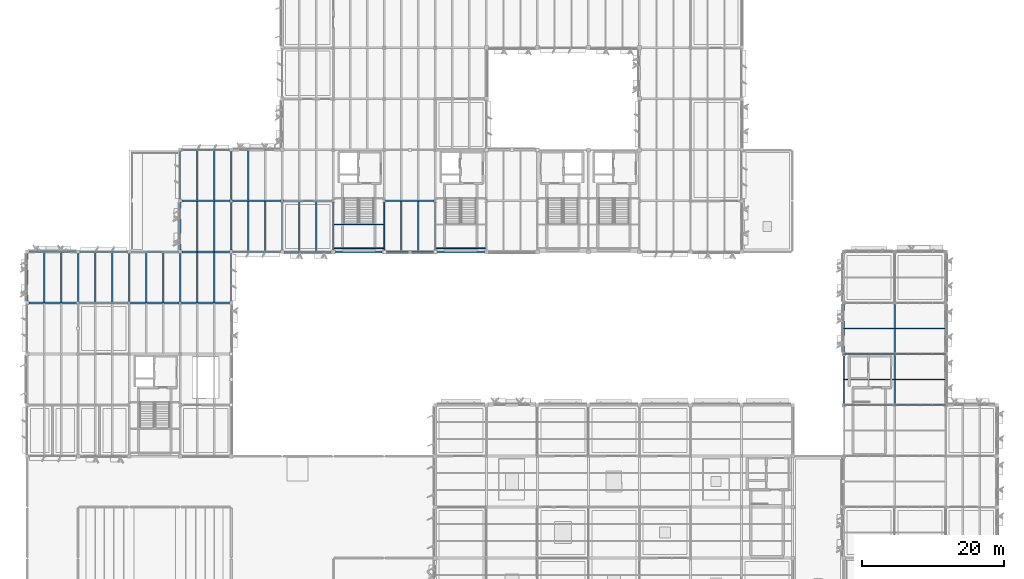
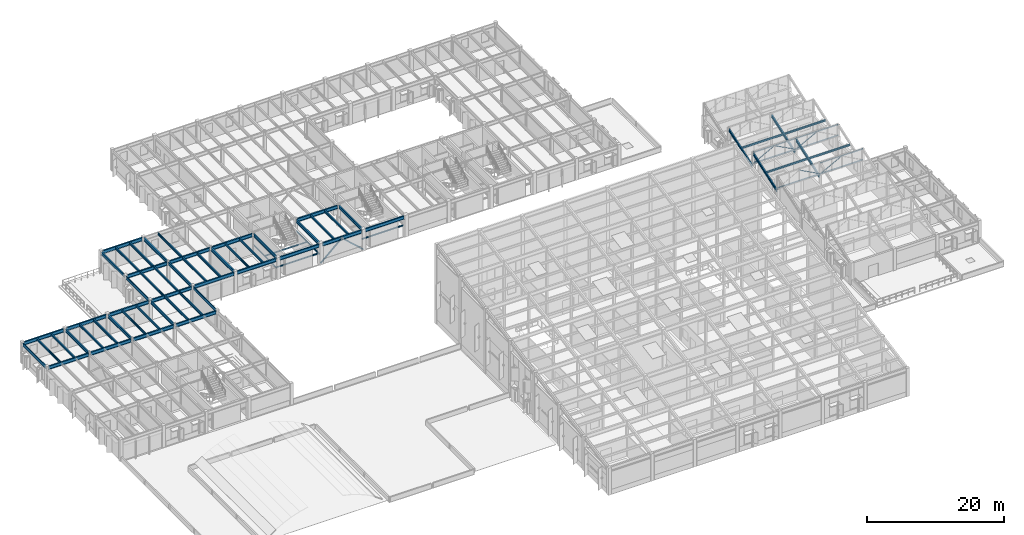
# One storey, part 18 of 82: 63 beams, 14 members.
"""IFC4 building model written with IfcOpenShell, lengths in metres."""

from ifc_helpers import new_model, si_unit, direction, frame, origin, origin_2d, place, context, subcontext, project, spatial, hollow_rectangle, hollow_circle, i_section, extrude, material, material_profile, profile_set, type_object, element, save


model = new_model("IFC4")

# Units and contexts
model_context = context("Model", 3, precision=1e-05, world=origin(), true_north=direction((0.0, 1.0)))
body_context = subcontext(model_context, "Body", "Model", "MODEL_VIEW")
ifc_project = project(units=[si_unit("LENGTHUNIT", "METRE"), si_unit("AREAUNIT", "SQUARE_METRE"), si_unit("VOLUMEUNIT", "CUBIC_METRE"), si_unit("PLANEANGLEUNIT", "RADIAN"), si_unit("MASSUNIT", "GRAM", prefix="KILO")], contexts=[model_context])

# Site, building, storey
site_placement = place(None, origin())
site = spatial("IfcSite", under=ifc_project, at=site_placement, CompositionType="ELEMENT")
building_placement = place(site_placement, origin())
building = spatial("IfcBuilding", under=site, at=building_placement, Name="Sillqori Civic Hall", CompositionType="ELEMENT")
storey_placement = place(building_placement, frame((0.0, 0.0, 14.10009765625)))
storey = spatial("IfcBuildingStorey", under=building, at=storey_placement, Name="L04", CompositionType="ELEMENT", Elevation=14.10009765625)

# Beams
ifc_material_1 = material(Name="Steel ASTM A992", Category="steel")
ifc_material_profile_1 = material_profile(ifc_material_1, i_section(OverallWidth=0.19091796875, OverallDepth=0.4599609375, WebThickness=0.010009765625, FlangeThickness=0.01611328125, FilletRadius=0.012939453125, at=origin_2d()), Name="W18X55")
ifc_profile_set_1 = profile_set([ifc_material_profile_1], Name="Steel ASTM A992")
beam_type_1 = type_object("IfcBeamType", Name="BM-W18X55", PredefinedType="BEAM", material=ifc_profile_set_1)
for number, where, z_axis, x_axis, name in (
    (1, (122.39990234375, 57.75, 3.409912109375), (0.0, 0.944499501787, 0.328512847731), (-1.0, 0.0, 0.0), "Clerestory inclined rafter 17-8"),
    (2, (129.60009765625, 57.75, 3.409912109375), (0.0, 0.944499501787, 0.328512847731), (-1.0, 0.0, 0.0), "Clerestory inclined rafter 18-8"),
):
    element("IfcBeam", number, at=place(storey_placement, frame(where, z_axis=z_axis, x_axis=x_axis)), inside=storey, type_object=beam_type_1, Name=name, PredefinedType="BEAM", context=body_context, shape_type="SweptSolid", body=[
        extrude(i_section(OverallWidth=0.19091796875, OverallDepth=0.4599609375, WebThickness=0.010009765625, FlangeThickness=0.01611328125, FilletRadius=0.012939453125, at=origin_2d()), origin(), (0.0, 0.0, 1.0), 7.305419921875),
    ])
for number, where, z_axis, x_axis, name in (
    (3, (122.39990234375, 64.949951171875, 3.409912109375), (0.0, 0.944503108263, 0.328502478655), (-1.0, 0.0, 0.0), "Clerestory inclined rafter 17-9"),
    (4, (129.60009765625, 64.949951171875, 3.409912109375), (0.0, 0.944503108263, 0.328502478655), (-1.0, 0.0, 0.0), "Clerestory inclined rafter 18-9"),
):
    element("IfcBeam", number, at=place(storey_placement, frame(where, z_axis=z_axis, x_axis=x_axis)), inside=storey, type_object=beam_type_1, Name=name, PredefinedType="BEAM", context=body_context, shape_type="SweptSolid", body=[
        extrude(i_section(OverallWidth=0.19091796875, OverallDepth=0.4599609375, WebThickness=0.010009765625, FlangeThickness=0.01611328125, FilletRadius=0.012939453125, at=origin_2d()), origin(), (0.0, 0.0, 1.0), 7.3056640625),
    ])
ifc_material_profile_2 = material_profile(ifc_material_1, i_section(OverallWidth=0.2099609375, OverallDepth=0.532958984375, WebThickness=0.01025390625, FlangeThickness=0.015625, FilletRadius=0.013916015625, at=origin_2d()), Name="W21X62")
ifc_profile_set_2 = profile_set([ifc_material_profile_2], Name="Steel ASTM A992")
beam_type_2 = type_object("IfcBeamType", Name="BM-W21X62", PredefinedType="BEAM", material=ifc_profile_set_2)
for number, where, z_axis, x_axis, name in (
    (5, (14.39990234375, 72.174560546875, 3.433349609375), (0.0, 1.0, 0.0), (-1.0, 0.0, 0.0), "L04 girder Y 2-10"),
    (6, (21.60009765625, 72.174560546875, 3.453369140625), (0.0, 1.0, 0.0), (-1.0, 0.0, 0.0), "L04 girder Y 3-10"),
    (7, (28.800048828125, 72.174560546875, 3.453369140625), (0.0, 1.0, 0.0), (-1.0, 0.0, 0.0), "L04 girder Y 4-10"),
    (8, (36.0, 79.444091796875, 3.433349609375), (0.0, 1.0, 0.0), (-1.0, 0.0, 0.0), "L04 girder Y 5-11"),
    (9, (36.0, 86.574462890625, 3.433349609375), (0.0, 1.0, 0.0), (-1.0, 0.0, 0.0), "L04 girder Y 5-12"),
    (10, (43.199951171875, 79.444091796875, 3.453369140625), (0.0, 1.0, 0.0), (-1.0, 0.0, 0.0), "L04 girder Y 6-11"),
):
    element("IfcBeam", number, at=place(storey_placement, frame(where, z_axis=z_axis, x_axis=x_axis)), inside=storey, type_object=beam_type_2, Name=name, PredefinedType="BEAM", context=body_context, shape_type="SweptSolid", body=[
        extrude(i_section(OverallWidth=0.2099609375, OverallDepth=0.532958984375, WebThickness=0.01025390625, FlangeThickness=0.015625, FilletRadius=0.013916015625, at=origin_2d()), origin(), (0.0, 0.0, 1.0), 6.781494140625),
    ])
for number, where, z_axis, x_axis, name in (
    (11, (50.39990234375, 79.493896484375, 3.453369140625), (0.0, 1.0, 0.0), (-1.0, 0.0, 0.0), "L04 girder Y 7-11"),
    (12, (57.60009765625, 79.493896484375, 3.453369140625), (0.0, 1.0, 0.0), (-1.0, 0.0, 0.0), "L04 girder Y 8-11"),
    (13, (64.800048828125, 79.493896484375, 3.453369140625), (0.0, 1.0, 0.0), (-1.0, 0.0, 0.0), "L04 girder Y 9-11"),
):
    element("IfcBeam", number, at=place(storey_placement, frame(where, z_axis=z_axis, x_axis=x_axis)), inside=storey, type_object=beam_type_2, Name=name, PredefinedType="BEAM", context=body_context, shape_type="SweptSolid", body=[
        extrude(i_section(OverallWidth=0.2099609375, OverallDepth=0.532958984375, WebThickness=0.01025390625, FlangeThickness=0.015625, FilletRadius=0.013916015625, at=origin_2d()), origin(), (0.0, 0.0, 1.0), 6.72412109375),
    ])
ifc_material_profile_3 = material_profile(ifc_material_1, i_section(OverallWidth=0.22802734375, OverallDepth=0.60205078125, WebThickness=0.010498046875, FlangeThickness=0.014892578125, FilletRadius=0.014892578125, at=origin_2d()), Name="W24X68")
ifc_profile_set_3 = profile_set([ifc_material_profile_3], Name="Steel ASTM A992")
beam_type_3 = type_object("IfcBeamType", Name="BM-W24X68", PredefinedType="BEAM", material=ifc_profile_set_3)
beam_1_placement = place(storey_placement, frame((7.444091796875, 72.0, 3.39892578125), z_axis=(1.0, 0.0, 0.0), x_axis=(0.0, 1.0, 0.0)))
element("IfcBeam", 14, at=beam_1_placement, inside=storey, type_object=beam_type_3, Name="L04 girder X 1-10", PredefinedType="BEAM", context=body_context, shape_type="SweptSolid", body=[
    extrude(i_section(OverallWidth=0.22802734375, OverallDepth=0.60205078125, WebThickness=0.010498046875, FlangeThickness=0.014892578125, FilletRadius=0.014892578125, at=origin_2d()), origin(), (0.0, 0.0, 1.0), 6.7763671875),
])
beam_2_placement = place(storey_placement, frame((7.444091796875, 79.199951171875, 3.39892578125), z_axis=(1.0, 0.0, 0.0), x_axis=(0.0, 1.0, 0.0)))
element("IfcBeam", 15, at=beam_2_placement, inside=storey, type_object=beam_type_3, Name="L04 girder X 1-11", PredefinedType="BEAM", context=body_context, shape_type="SweptSolid", body=[
    extrude(i_section(OverallWidth=0.22802734375, OverallDepth=0.60205078125, WebThickness=0.010498046875, FlangeThickness=0.014892578125, FilletRadius=0.014892578125, at=origin_2d()), origin(), (0.0, 0.0, 1.0), 6.7119140625),
])
beam_3_placement = place(storey_placement, frame((14.57958984375, 72.0, 3.4189453125), z_axis=(1.0, 0.0, 0.0), x_axis=(0.0, 1.0, 0.0)))
element("IfcBeam", 16, at=beam_3_placement, inside=storey, type_object=beam_type_3, Name="L04 girder X 2-10", PredefinedType="BEAM", context=body_context, shape_type="SweptSolid", body=[
    extrude(i_section(OverallWidth=0.22802734375, OverallDepth=0.60205078125, WebThickness=0.010498046875, FlangeThickness=0.014892578125, FilletRadius=0.014892578125, at=origin_2d()), origin(), (0.0, 0.0, 1.0), 6.8408203125),
])
beam_4_placement = place(storey_placement, frame((14.64404296875, 79.199951171875, 3.4189453125), z_axis=(1.0, 0.0, 0.0), x_axis=(0.0, 1.0, 0.0)))
element("IfcBeam", 17, at=beam_4_placement, inside=storey, type_object=beam_type_3, Name="L04 girder X 2-11", PredefinedType="BEAM", context=body_context, shape_type="SweptSolid", body=[
    extrude(i_section(OverallWidth=0.22802734375, OverallDepth=0.60205078125, WebThickness=0.010498046875, FlangeThickness=0.014892578125, FilletRadius=0.014892578125, at=origin_2d()), origin(), (0.0, 0.0, 1.0), 6.7119140625),
])
beam_5_placement = place(storey_placement, frame((21.779541015625, 72.0, 3.4189453125), z_axis=(1.0, 0.0, 0.0), x_axis=(0.0, 1.0, 0.0)))
element("IfcBeam", 18, at=beam_5_placement, inside=storey, type_object=beam_type_3, Name="L04 girder X 3-10", PredefinedType="BEAM", context=body_context, shape_type="SweptSolid", body=[
    extrude(i_section(OverallWidth=0.22802734375, OverallDepth=0.60205078125, WebThickness=0.010498046875, FlangeThickness=0.014892578125, FilletRadius=0.014892578125, at=origin_2d()), origin(), (0.0, 0.0, 1.0), 6.841064453125),
])
beam_6_placement = place(storey_placement, frame((21.843994140625, 79.199951171875, 3.4189453125), z_axis=(1.0, 0.0, 0.0), x_axis=(0.0, 1.0, 0.0)))
element("IfcBeam", 19, at=beam_6_placement, inside=storey, type_object=beam_type_3, Name="L04 girder X 3-11", PredefinedType="BEAM", context=body_context, shape_type="SweptSolid", body=[
    extrude(i_section(OverallWidth=0.22802734375, OverallDepth=0.60205078125, WebThickness=0.010498046875, FlangeThickness=0.014892578125, FilletRadius=0.014892578125, at=origin_2d()), origin(), (0.0, 0.0, 1.0), 6.7119140625),
])
beam_7_placement = place(storey_placement, frame((28.9794921875, 72.0, 3.4189453125), z_axis=(1.0, 0.0, 0.0), x_axis=(0.0, 1.0, 0.0)))
element("IfcBeam", 20, at=beam_7_placement, inside=storey, type_object=beam_type_3, Name="L04 girder X 4-10", PredefinedType="BEAM", context=body_context, shape_type="SweptSolid", body=[
    extrude(i_section(OverallWidth=0.22802734375, OverallDepth=0.60205078125, WebThickness=0.010498046875, FlangeThickness=0.014892578125, FilletRadius=0.014892578125, at=origin_2d()), origin(), (0.0, 0.0, 1.0), 6.776611328125),
])
beam_8_placement = place(storey_placement, frame((29.0439453125, 79.199951171875, 3.39892578125), z_axis=(1.0, 0.0, 0.0), x_axis=(0.0, 1.0, 0.0)))
element("IfcBeam", 21, at=beam_8_placement, inside=storey, type_object=beam_type_3, Name="L04 girder X 4-11", PredefinedType="BEAM", context=body_context, shape_type="SweptSolid", body=[
    extrude(i_section(OverallWidth=0.22802734375, OverallDepth=0.60205078125, WebThickness=0.010498046875, FlangeThickness=0.014892578125, FilletRadius=0.014892578125, at=origin_2d()), origin(), (0.0, 0.0, 1.0), 6.712158203125),
])
beam_9_placement = place(storey_placement, frame((29.0439453125, 86.39990234375, 3.39892578125), z_axis=(1.0, 0.0, 0.0), x_axis=(0.0, 1.0, 0.0)))
element("IfcBeam", 22, at=beam_9_placement, inside=storey, type_object=beam_type_3, Name="L04 girder X 4-12", PredefinedType="BEAM", context=body_context, shape_type="SweptSolid", body=[
    extrude(i_section(OverallWidth=0.22802734375, OverallDepth=0.60205078125, WebThickness=0.010498046875, FlangeThickness=0.014892578125, FilletRadius=0.014892578125, at=origin_2d()), origin(), (0.0, 0.0, 1.0), 6.776611328125),
])
for number, where, z_axis, x_axis, name in (
    (23, (29.0439453125, 93.60009765625, 3.39892578125), (1.0, 0.0, 0.0), (0.0, 1.0, 0.0), "L04 girder X 4-13"),
    (24, (36.243896484375, 79.199951171875, 3.4189453125), (1.0, 0.0, 0.0), (0.0, 1.0, 0.0), "L04 girder X 5-11"),
):
    element("IfcBeam", number, at=place(storey_placement, frame(where, z_axis=z_axis, x_axis=x_axis)), inside=storey, type_object=beam_type_3, Name=name, PredefinedType="BEAM", context=body_context, shape_type="SweptSolid", body=[
        extrude(i_section(OverallWidth=0.22802734375, OverallDepth=0.60205078125, WebThickness=0.010498046875, FlangeThickness=0.014892578125, FilletRadius=0.014892578125, at=origin_2d()), origin(), (0.0, 0.0, 1.0), 6.712158203125),
    ])
beam_10_placement = place(storey_placement, frame((36.179443359375, 86.39990234375, 3.4189453125), z_axis=(1.0, 0.0, 0.0), x_axis=(0.0, 1.0, 0.0)))
element("IfcBeam", 25, at=beam_10_placement, inside=storey, type_object=beam_type_3, Name="L04 girder X 5-12", PredefinedType="BEAM", context=body_context, shape_type="SweptSolid", body=[
    extrude(i_section(OverallWidth=0.22802734375, OverallDepth=0.60205078125, WebThickness=0.010498046875, FlangeThickness=0.014892578125, FilletRadius=0.014892578125, at=origin_2d()), origin(), (0.0, 0.0, 1.0), 6.841064453125),
])
beam_11_placement = place(storey_placement, frame((43.444091796875, 79.199951171875, 3.4189453125), z_axis=(1.0, 0.0, 0.0), x_axis=(0.0, 1.0, 0.0)))
element("IfcBeam", 26, at=beam_11_placement, inside=storey, type_object=beam_type_3, Name="L04 girder X 6-11", PredefinedType="BEAM", context=body_context, shape_type="SweptSolid", body=[
    extrude(i_section(OverallWidth=0.22802734375, OverallDepth=0.60205078125, WebThickness=0.010498046875, FlangeThickness=0.014892578125, FilletRadius=0.014892578125, at=origin_2d()), origin(), (0.0, 0.0, 1.0), 6.661865234375),
])
beam_12_placement = place(storey_placement, frame((43.37939453125, 86.39990234375, 3.4189453125), z_axis=(1.0, 0.0, 0.0), x_axis=(0.0, 1.0, 0.0)))
element("IfcBeam", 27, at=beam_12_placement, inside=storey, type_object=beam_type_3, Name="L04 girder X 6-12", PredefinedType="BEAM", context=body_context, shape_type="SweptSolid", body=[
    extrude(i_section(OverallWidth=0.22802734375, OverallDepth=0.60205078125, WebThickness=0.010498046875, FlangeThickness=0.014892578125, FilletRadius=0.014892578125, at=origin_2d()), origin(), (0.0, 0.0, 1.0), 6.82958984375),
])
beam_13_placement = place(storey_placement, frame((50.694091796875, 79.199951171875, 3.4189453125), z_axis=(1.0, 0.0, 0.0), x_axis=(0.0, 1.0, 0.0)))
element("IfcBeam", 28, at=beam_13_placement, inside=storey, type_object=beam_type_3, Name="L04 girder X 7-11", PredefinedType="BEAM", context=body_context, shape_type="SweptSolid", body=[
    extrude(i_section(OverallWidth=0.22802734375, OverallDepth=0.60205078125, WebThickness=0.010498046875, FlangeThickness=0.014892578125, FilletRadius=0.014892578125, at=origin_2d()), origin(), (0.0, 0.0, 1.0), 6.61181640625),
])
beam_14_placement = place(storey_placement, frame((57.89404296875, 79.199951171875, 3.4189453125), z_axis=(1.0, 0.0, 0.0), x_axis=(0.0, 1.0, 0.0)))
element("IfcBeam", 29, at=beam_14_placement, inside=storey, type_object=beam_type_3, Name="L04 girder X 8-11", PredefinedType="BEAM", context=body_context, shape_type="SweptSolid", body=[
    extrude(i_section(OverallWidth=0.22802734375, OverallDepth=0.60205078125, WebThickness=0.010498046875, FlangeThickness=0.014892578125, FilletRadius=0.014892578125, at=origin_2d()), origin(), (0.0, 0.0, 1.0), 6.612060546875),
])
beam_15_placement = place(storey_placement, frame((57.791015625, 86.39990234375, 3.4189453125), z_axis=(1.0, 0.0, 0.0), x_axis=(0.0, 1.0, 0.0)))
element("IfcBeam", 30, at=beam_15_placement, inside=storey, type_object=beam_type_3, Name="L04 girder X 8-12", PredefinedType="BEAM", context=body_context, shape_type="SweptSolid", body=[
    extrude(i_section(OverallWidth=0.22802734375, OverallDepth=0.60205078125, WebThickness=0.010498046875, FlangeThickness=0.014892578125, FilletRadius=0.014892578125, at=origin_2d()), origin(), (0.0, 0.0, 1.0), 6.81787109375),
])
beam_16_placement = place(storey_placement, frame((65.093994140625, 79.199951171875, 3.4189453125), z_axis=(1.0, 0.0, 0.0), x_axis=(0.0, 1.0, 0.0)))
element("IfcBeam", 31, at=beam_16_placement, inside=storey, type_object=beam_type_3, Name="L04 girder X 9-11", PredefinedType="BEAM", context=body_context, shape_type="SweptSolid", body=[
    extrude(i_section(OverallWidth=0.22802734375, OverallDepth=0.60205078125, WebThickness=0.010498046875, FlangeThickness=0.014892578125, FilletRadius=0.014892578125, at=origin_2d()), origin(), (0.0, 0.0, 1.0), 6.612060546875),
])

# Members
ifc_material_2 = material(Name="Steel ASTM A500 Grade C", Category="steel")
ifc_material_profile_4 = material_profile(ifc_material_2, hollow_rectangle(XDim=0.199951171875, YDim=0.199951171875, WallThickness=0.010009765625, InnerFilletRadius=0.010009765625, OuterFilletRadius=0.02001953125, at=origin_2d()), Name="HSS200X200X10")
ifc_profile_set_4 = profile_set([ifc_material_profile_4], Name="Steel ASTM A500 Grade C")
member_type_1 = type_object("IfcMemberType", Name="BR-HSS200", PredefinedType="BRACE", material=ifc_profile_set_4)
member_1_placement = place(storey_placement, frame((57.60009765625, 79.199951171875, 0.14990234375), z_axis=(0.742254478498, 0.0, 0.67011811582), x_axis=(0.0, 1.0, 0.0)))
element("IfcMember", 32, at=member_1_placement, inside=storey, type_object=member_type_1, Name="L04 seismic chevron brace L X11-8", PredefinedType="BRACE", context=body_context, shape_type="SweptSolid", body=[
    extrude(hollow_rectangle(XDim=0.199951171875, YDim=0.199951171875, WallThickness=0.010009765625, InnerFilletRadius=0.010009765625, OuterFilletRadius=0.02001953125, at=origin_2d()), origin(), (0.0, 0.0, 1.0), 4.849853515625),
])
member_2_placement = place(storey_placement, frame((64.800048828125, 79.199951171875, 0.14990234375), z_axis=(-0.742277082557, 0.0, 0.670093077648), x_axis=(0.0, -1.0, 0.0)))
element("IfcMember", 33, at=member_2_placement, inside=storey, type_object=member_type_1, Name="L04 seismic chevron brace R X11-8", PredefinedType="BRACE", context=body_context, shape_type="SweptSolid", body=[
    extrude(hollow_rectangle(XDim=0.199951171875, YDim=0.199951171875, WallThickness=0.010009765625, InnerFilletRadius=0.010009765625, OuterFilletRadius=0.02001953125, at=origin_2d()), origin(), (0.0, 0.0, 1.0), 4.85009765625),
])
ifc_material_profile_5 = material_profile(ifc_material_2, hollow_rectangle(XDim=0.1201171875, YDim=0.199951171875, WallThickness=0.010009765625, InnerFilletRadius=0.010009765625, OuterFilletRadius=0.02001953125, at=origin_2d()), Name="HSS200X120X10")
ifc_profile_set_5 = profile_set([ifc_material_profile_5], Name="Steel ASTM A500 Grade C")
member_type_2 = type_object("IfcMemberType", Name="CH-HSS200", PredefinedType="CHORD", material=ifc_profile_set_5)
member_3_placement = place(storey_placement, frame((122.39990234375, 57.60009765625, 4.0498046875), z_axis=(1.0, 0.0, 0.0), x_axis=(0.0, 1.0, 0.0)))
element("IfcMember", 34, at=member_3_placement, inside=storey, type_object=member_type_2, Name="Clerestory truss bottom chord 17-7", PredefinedType="CHORD", context=body_context, shape_type="SweptSolid", body=[
    extrude(hollow_rectangle(XDim=0.1201171875, YDim=0.199951171875, WallThickness=0.010009765625, InnerFilletRadius=0.010009765625, OuterFilletRadius=0.02001953125, at=origin_2d()), origin(), (0.0, 0.0, 1.0), 7.2001953125),
])
for number, where, z_axis, x_axis, name in (
    (35, (129.60009765625, 57.60009765625, 5.969970703125), (1.0, 0.0, 0.0), (0.0, 1.0, 0.0), "Clerestory truss top chord 18-7"),
    (36, (129.60009765625, 57.60009765625, 4.0498046875), (1.0, 0.0, 0.0), (0.0, 1.0, 0.0), "Clerestory truss bottom chord 18-7"),
):
    element("IfcMember", number, at=place(storey_placement, frame(where, z_axis=z_axis, x_axis=x_axis)), inside=storey, type_object=member_type_2, Name=name, PredefinedType="CHORD", context=body_context, shape_type="SweptSolid", body=[
        extrude(hollow_rectangle(XDim=0.1201171875, YDim=0.199951171875, WallThickness=0.010009765625, InnerFilletRadius=0.010009765625, OuterFilletRadius=0.02001953125, at=origin_2d()), origin(), (0.0, 0.0, 1.0), 7.199951171875),
    ])
for number, where, z_axis, x_axis, name in (
    (37, (122.39990234375, 64.800048828125, 5.969970703125), (1.0, 0.0, 0.0), (0.0, 1.0, 0.0), "Clerestory truss top chord 17-8"),
    (38, (122.39990234375, 64.800048828125, 4.0498046875), (1.0, 0.0, 0.0), (0.0, 1.0, 0.0), "Clerestory truss bottom chord 17-8"),
):
    element("IfcMember", number, at=place(storey_placement, frame(where, z_axis=z_axis, x_axis=x_axis)), inside=storey, type_object=member_type_2, Name=name, PredefinedType="CHORD", context=body_context, shape_type="SweptSolid", body=[
        extrude(hollow_rectangle(XDim=0.1201171875, YDim=0.199951171875, WallThickness=0.010009765625, InnerFilletRadius=0.010009765625, OuterFilletRadius=0.02001953125, at=origin_2d()), origin(), (0.0, 0.0, 1.0), 7.2001953125),
    ])
for number, where, z_axis, x_axis, name in (
    (39, (129.60009765625, 64.800048828125, 5.969970703125), (1.0, 0.0, 0.0), (0.0, 1.0, 0.0), "Clerestory truss top chord 18-8"),
    (40, (129.60009765625, 64.800048828125, 4.0498046875), (1.0, 0.0, 0.0), (0.0, 1.0, 0.0), "Clerestory truss bottom chord 18-8"),
):
    element("IfcMember", number, at=place(storey_placement, frame(where, z_axis=z_axis, x_axis=x_axis)), inside=storey, type_object=member_type_2, Name=name, PredefinedType="CHORD", context=body_context, shape_type="SweptSolid", body=[
        extrude(hollow_rectangle(XDim=0.1201171875, YDim=0.199951171875, WallThickness=0.010009765625, InnerFilletRadius=0.010009765625, OuterFilletRadius=0.02001953125, at=origin_2d()), origin(), (0.0, 0.0, 1.0), 7.199951171875),
    ])

# Beams
ifc_material_profile_6 = material_profile(ifc_material_1, i_section(OverallWidth=0.177978515625, OverallDepth=0.404052734375, WebThickness=0.007568359375, FlangeThickness=0.010986328125, FilletRadius=0.011962890625, at=origin_2d()), Name="W16X36")
ifc_profile_set_6 = profile_set([ifc_material_profile_6], Name="Steel ASTM A992")
beam_type_4 = type_object("IfcBeamType", Name="JS-W16X36", PredefinedType="JOIST", material=ifc_profile_set_6)
for number, where, z_axis, x_axis, name in (
    (41, (9.60009765625, 72.094970703125, 3.497802734375), (0.0, 1.0, 0.0), (-1.0, 0.0, 0.0), "L04 composite joist 1-10.1"),
    (42, (12.0, 72.094970703125, 3.497802734375), (0.0, 1.0, 0.0), (-1.0, 0.0, 0.0), "L04 composite joist 1-10.2"),
    (43, (16.800048828125, 72.094970703125, 3.517822265625), (0.0, 1.0, 0.0), (-1.0, 0.0, 0.0), "L04 composite joist 2-10.1"),
    (44, (19.199951171875, 72.094970703125, 3.517822265625), (0.0, 1.0, 0.0), (-1.0, 0.0, 0.0), "L04 composite joist 2-10.2"),
    (45, (24.0, 72.094970703125, 3.517822265625), (0.0, 1.0, 0.0), (-1.0, 0.0, 0.0), "L04 composite joist 3-10.1"),
    (46, (26.39990234375, 72.094970703125, 3.517822265625), (0.0, 1.0, 0.0), (-1.0, 0.0, 0.0), "L04 composite joist 3-10.2"),
    (47, (31.199951171875, 72.094970703125, 3.517822265625), (0.0, 1.0, 0.0), (-1.0, 0.0, 0.0), "L04 composite joist 4-10.1"),
    (48, (33.60009765625, 72.094970703125, 3.517822265625), (0.0, 1.0, 0.0), (-1.0, 0.0, 0.0), "L04 composite joist 4-10.2"),
    (49, (31.199951171875, 79.294921875, 3.497802734375), (0.0, 1.0, 0.0), (-1.0, 0.0, 0.0), "L04 composite joist 4-11.1"),
    (50, (33.60009765625, 79.294921875, 3.497802734375), (0.0, 1.0, 0.0), (-1.0, 0.0, 0.0), "L04 composite joist 4-11.2"),
):
    element("IfcBeam", number, at=place(storey_placement, frame(where, z_axis=z_axis, x_axis=x_axis)), inside=storey, type_object=beam_type_4, Name=name, PredefinedType="JOIST", context=body_context, shape_type="SweptSolid", body=[
        extrude(i_section(OverallWidth=0.177978515625, OverallDepth=0.404052734375, WebThickness=0.007568359375, FlangeThickness=0.010986328125, FilletRadius=0.011962890625, at=origin_2d()), origin(), (0.0, 0.0, 1.0), 7.010009765625),
    ])
for number, where, z_axis, x_axis, name in (
    (51, (31.199951171875, 86.4951171875, 3.497802734375), (0.0, 1.0, 0.0), (-1.0, 0.0, 0.0), "L04 composite joist 4-12.1"),
    (52, (33.60009765625, 86.4951171875, 3.497802734375), (0.0, 1.0, 0.0), (-1.0, 0.0, 0.0), "L04 composite joist 4-12.2"),
):
    element("IfcBeam", number, at=place(storey_placement, frame(where, z_axis=z_axis, x_axis=x_axis)), inside=storey, type_object=beam_type_4, Name=name, PredefinedType="JOIST", context=body_context, shape_type="SweptSolid", body=[
        extrude(i_section(OverallWidth=0.177978515625, OverallDepth=0.404052734375, WebThickness=0.007568359375, FlangeThickness=0.010986328125, FilletRadius=0.011962890625, at=origin_2d()), origin(), (0.0, 0.0, 1.0), 7.009765625),
    ])
for number, where, z_axis, x_axis, name in (
    (53, (38.39990234375, 79.294921875, 3.517822265625), (0.0, 1.0, 0.0), (-1.0, 0.0, 0.0), "L04 composite joist 5-11.1"),
    (54, (40.800048828125, 79.294921875, 3.517822265625), (0.0, 1.0, 0.0), (-1.0, 0.0, 0.0), "L04 composite joist 5-11.2"),
):
    element("IfcBeam", number, at=place(storey_placement, frame(where, z_axis=z_axis, x_axis=x_axis)), inside=storey, type_object=beam_type_4, Name=name, PredefinedType="JOIST", context=body_context, shape_type="SweptSolid", body=[
        extrude(i_section(OverallWidth=0.177978515625, OverallDepth=0.404052734375, WebThickness=0.007568359375, FlangeThickness=0.010986328125, FilletRadius=0.011962890625, at=origin_2d()), origin(), (0.0, 0.0, 1.0), 7.010009765625),
    ])
beam_17_placement = place(storey_placement, frame((38.39990234375, 86.4951171875, 3.517822265625), z_axis=(0.0, 1.0, 0.0), x_axis=(-1.0, 0.0, 0.0)))
element("IfcBeam", 55, at=beam_17_placement, inside=storey, type_object=beam_type_4, Name="L04 composite joist 5-12.1", PredefinedType="JOIST", context=body_context, shape_type="SweptSolid", body=[
    extrude(i_section(OverallWidth=0.177978515625, OverallDepth=0.404052734375, WebThickness=0.007568359375, FlangeThickness=0.010986328125, FilletRadius=0.011962890625, at=origin_2d()), origin(), (0.0, 0.0, 1.0), 7.009765625),
])
for number, where, z_axis, x_axis, name in (
    (56, (45.60009765625, 79.294921875, 3.517822265625), (0.0, 1.0, 0.0), (-1.0, 0.0, 0.0), "L04 composite joist 6-11.1"),
    (57, (48.0, 79.294921875, 3.517822265625), (0.0, 1.0, 0.0), (-1.0, 0.0, 0.0), "L04 composite joist 6-11.2"),
    (58, (60.0, 79.294921875, 3.517822265625), (0.0, 1.0, 0.0), (-1.0, 0.0, 0.0), "L04 composite joist 8-11.1"),
    (59, (62.39990234375, 79.294921875, 3.517822265625), (0.0, 1.0, 0.0), (-1.0, 0.0, 0.0), "L04 composite joist 8-11.2"),
):
    element("IfcBeam", number, at=place(storey_placement, frame(where, z_axis=z_axis, x_axis=x_axis)), inside=storey, type_object=beam_type_4, Name=name, PredefinedType="JOIST", context=body_context, shape_type="SweptSolid", body=[
        extrude(i_section(OverallWidth=0.177978515625, OverallDepth=0.404052734375, WebThickness=0.007568359375, FlangeThickness=0.010986328125, FilletRadius=0.011962890625, at=origin_2d()), origin(), (0.0, 0.0, 1.0), 7.010009765625),
    ])
ifc_material_profile_7 = material_profile(ifc_material_1, i_section(OverallWidth=0.133056640625, OverallDepth=0.20703125, WebThickness=0.005859375, FlangeThickness=0.00830078125, FilletRadius=0.008056640625, at=origin_2d()), Name="W8X18")
ifc_profile_set_7 = profile_set([ifc_material_profile_7], Name="Steel ASTM A992")
beam_type_5 = type_object("IfcBeamType", Name="LN-W8X18", PredefinedType="LINTEL", material=ifc_profile_set_7)
for number, where, z_axis, x_axis, name in (
    (60, (50.39990234375, 79.493896484375, 1.63232421875), (0.0, 1.0, 0.0), (-1.0, 0.0, 0.0), "L04 grid 7 stair landing stringer 1"),
    (61, (57.60009765625, 79.493896484375, 1.63232421875), (0.0, 1.0, 0.0), (-1.0, 0.0, 0.0), "L04 grid 8 stair landing stringer 1"),
):
    element("IfcBeam", number, at=place(storey_placement, frame(where, z_axis=z_axis, x_axis=x_axis)), inside=storey, type_object=beam_type_5, Name=name, PredefinedType="LINTEL", context=body_context, shape_type="SweptSolid", body=[
        extrude(i_section(OverallWidth=0.133056640625, OverallDepth=0.20703125, WebThickness=0.005859375, FlangeThickness=0.00830078125, FilletRadius=0.008056640625, at=origin_2d()), origin(), (0.0, 0.0, 1.0), 6.72412109375),
    ])
for number, where, z_axis, x_axis, name in (
    (62, (50.449951171875, 79.695068359375, 1.63232421875), (1.0, 0.0, 0.0), (0.0, 1.0, 0.0), "L04 C5 stair half-landing steel ledger 1.1"),
    (63, (50.449951171875, 83.070068359375, 1.63232421875), (1.0, 0.0, 0.0), (0.0, 1.0, 0.0), "L04 C5 stair half-landing steel ledger 1.2"),
):
    element("IfcBeam", number, at=place(storey_placement, frame(where, z_axis=z_axis, x_axis=x_axis)), inside=storey, type_object=beam_type_5, Name=name, PredefinedType="LINTEL", context=body_context, shape_type="SweptSolid", body=[
        extrude(i_section(OverallWidth=0.133056640625, OverallDepth=0.20703125, WebThickness=0.005859375, FlangeThickness=0.00830078125, FilletRadius=0.008056640625, at=origin_2d()), origin(), (0.0, 0.0, 1.0), 7.10009765625),
    ])
beam_18_placement = place(storey_placement, frame((64.85009765625, 79.695068359375, 1.63232421875), z_axis=(1.0, 0.0, 0.0), x_axis=(0.0, 1.0, 0.0)))
element("IfcBeam", 64, at=beam_18_placement, inside=storey, type_object=beam_type_5, Name="L04 C6 stair half-landing steel ledger 1.1", PredefinedType="LINTEL", context=body_context, shape_type="SweptSolid", body=[
    extrude(i_section(OverallWidth=0.133056640625, OverallDepth=0.20703125, WebThickness=0.005859375, FlangeThickness=0.00830078125, FilletRadius=0.008056640625, at=origin_2d()), origin(), (0.0, 0.0, 1.0), 7.099853515625),
])
ifc_material_profile_8 = material_profile(ifc_material_1, i_section(OverallWidth=0.1650390625, OverallDepth=0.31005859375, WebThickness=0.005859375, FlangeThickness=0.009765625, FilletRadius=0.010009765625, at=origin_2d()), Name="W12X26")
ifc_profile_set_8 = profile_set([ifc_material_profile_8], Name="Steel ASTM A992")
beam_type_6 = type_object("IfcBeamType", Name="PR-W12X26", PredefinedType="JOIST", material=ifc_profile_set_8)
for number, where, z_axis, x_axis, name in (
    (65, (122.47998046875, 61.199951171875, 4.559814453125), (1.0, 0.0, 0.0), (0.0, 1.0, 0.0), "Clerestory roof purlin 17-8"),
    (66, (129.679931640625, 61.199951171875, 4.559814453125), (1.0, 0.0, 0.0), (0.0, 1.0, 0.0), "Clerestory roof purlin 18-8"),
    (67, (122.47998046875, 68.39990234375, 4.559814453125), (1.0, 0.0, 0.0), (0.0, 1.0, 0.0), "Clerestory roof purlin 17-9"),
    (68, (129.679931640625, 68.39990234375, 4.559814453125), (1.0, 0.0, 0.0), (0.0, 1.0, 0.0), "Clerestory roof purlin 18-9"),
):
    element("IfcBeam", number, at=place(storey_placement, frame(where, z_axis=z_axis, x_axis=x_axis)), inside=storey, type_object=beam_type_6, Name=name, PredefinedType="JOIST", context=body_context, shape_type="SweptSolid", body=[
        extrude(i_section(OverallWidth=0.1650390625, OverallDepth=0.31005859375, WebThickness=0.005859375, FlangeThickness=0.009765625, FilletRadius=0.010009765625, at=origin_2d()), origin(), (0.0, 0.0, 1.0), 7.0400390625),
    ])
ifc_material_profile_9 = material_profile(ifc_material_1, i_section(OverallWidth=0.166015625, OverallDepth=0.528076171875, WebThickness=0.009765625, FlangeThickness=0.013671875, FilletRadius=0.013916015625, at=origin_2d()), Name="W21X50")
ifc_profile_set_9 = profile_set([ifc_material_profile_9], Name="Steel ASTM A992")
beam_type_7 = type_object("IfcBeamType", Name="SP-W21X50", PredefinedType="SPANDREL", material=ifc_profile_set_9)
beam_19_placement = place(storey_placement, frame((7.199951171875, 72.243896484375, 3.435791015625), z_axis=(0.0, 1.0, 0.0), x_axis=(-1.0, 0.0, 0.0)))
element("IfcBeam", 69, at=beam_19_placement, inside=storey, type_object=beam_type_7, Name="L04 girder Y 1-10", PredefinedType="SPANDREL", context=body_context, shape_type="SweptSolid", body=[
    extrude(i_section(OverallWidth=0.166015625, OverallDepth=0.528076171875, WebThickness=0.009765625, FlangeThickness=0.013671875, FilletRadius=0.013916015625, at=origin_2d()), origin(), (0.0, 0.0, 1.0), 6.712158203125),
])
for number, where, z_axis, x_axis, name in (
    (70, (28.800048828125, 79.444091796875, 3.435791015625), (0.0, 1.0, 0.0), (-1.0, 0.0, 0.0), "L04 girder Y 4-11"),
    (71, (28.800048828125, 86.64404296875, 3.435791015625), (0.0, 1.0, 0.0), (-1.0, 0.0, 0.0), "L04 girder Y 4-12"),
):
    element("IfcBeam", number, at=place(storey_placement, frame(where, z_axis=z_axis, x_axis=x_axis)), inside=storey, type_object=beam_type_7, Name=name, PredefinedType="SPANDREL", context=body_context, shape_type="SweptSolid", body=[
        extrude(i_section(OverallWidth=0.166015625, OverallDepth=0.528076171875, WebThickness=0.009765625, FlangeThickness=0.013671875, FilletRadius=0.013916015625, at=origin_2d()), origin(), (0.0, 0.0, 1.0), 6.7119140625),
    ])
beam_20_placement = place(storey_placement, frame((36.0, 72.243896484375, 3.455810546875), z_axis=(0.0, 1.0, 0.0), x_axis=(-1.0, 0.0, 0.0)))
element("IfcBeam", 72, at=beam_20_placement, inside=storey, type_object=beam_type_7, Name="L04 girder Y 5-10", PredefinedType="SPANDREL", context=body_context, shape_type="SweptSolid", body=[
    extrude(i_section(OverallWidth=0.166015625, OverallDepth=0.528076171875, WebThickness=0.009765625, FlangeThickness=0.013671875, FilletRadius=0.013916015625, at=origin_2d()), origin(), (0.0, 0.0, 1.0), 6.712158203125),
])

# Members
ifc_material_profile_10 = material_profile(ifc_material_2, hollow_circle(Radius=0.084228515625, WallThickness=0.010009765625, at=origin_2d()), Name="CHS168X10")
ifc_profile_set_10 = profile_set([ifc_material_profile_10], Name="Steel ASTM A500 Grade C")
member_type_3 = type_object("IfcMemberType", Name="ST-CHS168", PredefinedType="STRUT", material=ifc_profile_set_10)
member_4_placement = place(storey_placement, frame((129.60009765625, 57.60009765625, 4.0498046875), z_axis=(-0.882341346394, 0.0, 0.470609974867), x_axis=(0.0, -1.0, 0.0)))
element("IfcMember", 73, at=member_4_placement, inside=storey, type_object=member_type_3, Name="Clerestory truss diagonal strut R 17-7", PredefinedType="STRUT", context=body_context, shape_type="SweptSolid", body=[
    extrude(hollow_circle(Radius=0.084228515625, WallThickness=0.010009765625, at=origin_2d()), origin(), (0.0, 0.0, 1.0), 4.080078125),
])
member_5_placement = place(storey_placement, frame((129.60009765625, 57.60009765625, 4.0498046875), z_axis=(0.882328093246, 0.0, 0.470634822203), x_axis=(0.0, 1.0, 0.0)))
element("IfcMember", 74, at=member_5_placement, inside=storey, type_object=member_type_3, Name="Clerestory truss diagonal strut L 18-7", PredefinedType="STRUT", context=body_context, shape_type="SweptSolid", body=[
    extrude(hollow_circle(Radius=0.084228515625, WallThickness=0.010009765625, at=origin_2d()), origin(), (0.0, 0.0, 1.0), 4.079833984375),
])
for number, where, z_axis, x_axis, name in (
    (75, (122.39990234375, 64.800048828125, 4.0498046875), (0.882341346394, 0.0, 0.470609974867), (0.0, 1.0, 0.0), "Clerestory truss diagonal strut L 17-8"),
    (76, (129.60009765625, 64.800048828125, 4.0498046875), (-0.882341346394, 0.0, 0.470609974867), (0.0, -1.0, 0.0), "Clerestory truss diagonal strut R 17-8"),
):
    element("IfcMember", number, at=place(storey_placement, frame(where, z_axis=z_axis, x_axis=x_axis)), inside=storey, type_object=member_type_3, Name=name, PredefinedType="STRUT", context=body_context, shape_type="SweptSolid", body=[
        extrude(hollow_circle(Radius=0.084228515625, WallThickness=0.010009765625, at=origin_2d()), origin(), (0.0, 0.0, 1.0), 4.080078125),
    ])
member_6_placement = place(storey_placement, frame((129.60009765625, 64.800048828125, 4.0498046875), z_axis=(0.882328093246, 0.0, 0.470634822203), x_axis=(0.0, 1.0, 0.0)))
element("IfcMember", 77, at=member_6_placement, inside=storey, type_object=member_type_3, Name="Clerestory truss diagonal strut L 18-8", PredefinedType="STRUT", context=body_context, shape_type="SweptSolid", body=[
    extrude(hollow_circle(Radius=0.084228515625, WallThickness=0.010009765625, at=origin_2d()), origin(), (0.0, 0.0, 1.0), 4.079833984375),
])

save(model, "model.ifc")
